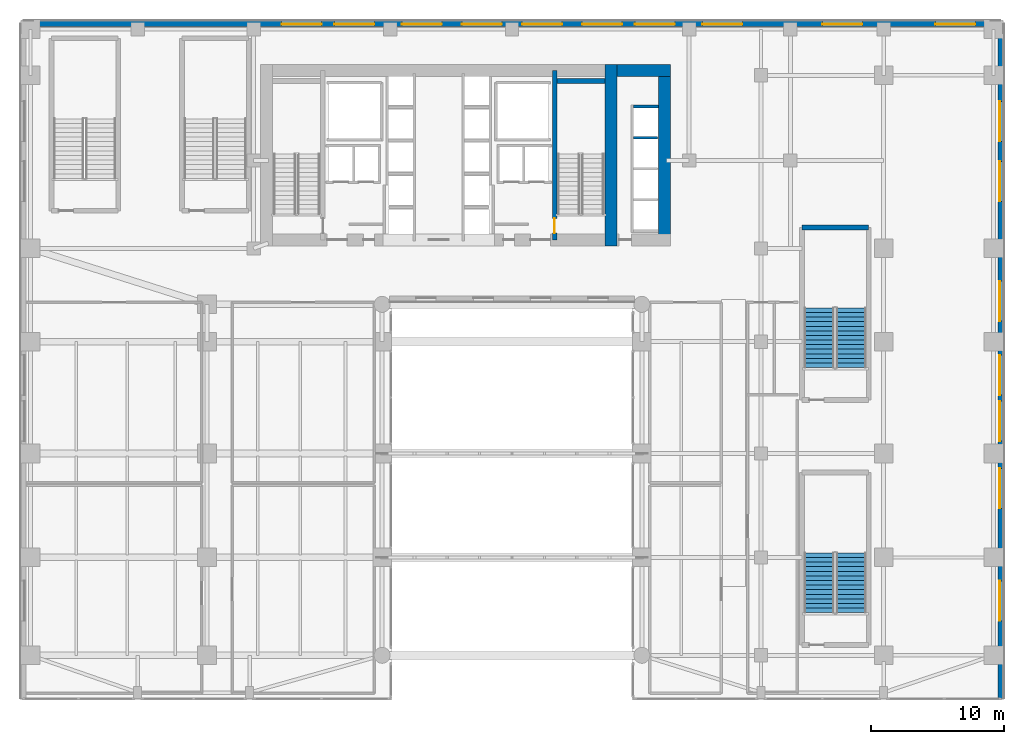
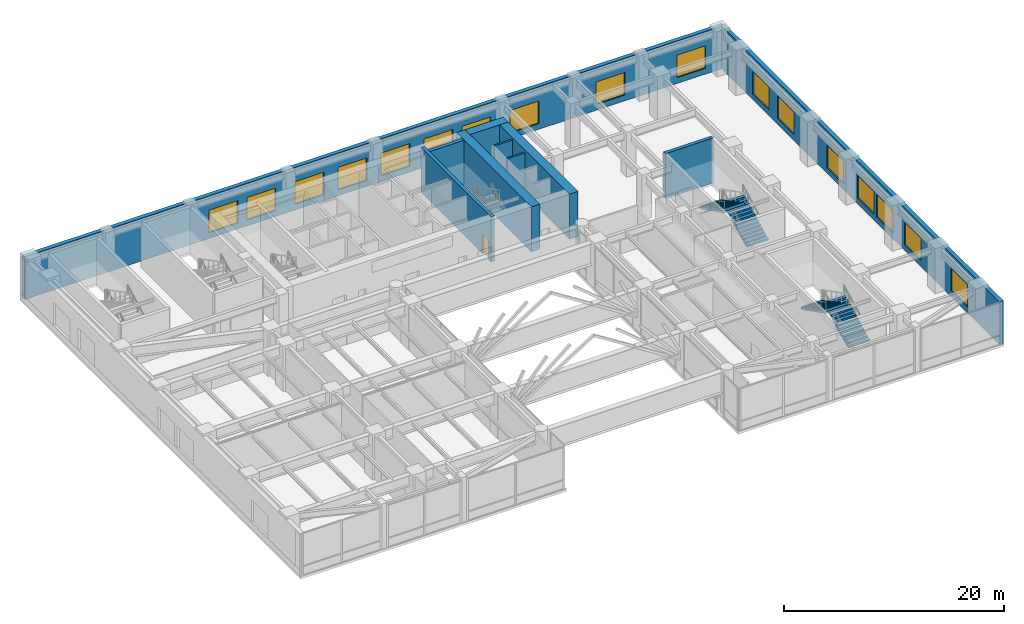
# One storey, part 30 of 39: 17 windows, 10 walls, 4 stair flights, 1 door, 18 openings, 2 elements without a shape of their own.
"""IFC4 building model written with IfcOpenShell, lengths in metres."""

from ifc_helpers import new_model, si_unit, direction, frame, frame_2d, origin, place, context, subcontext, project, spatial, polyline, rectangle, outline, extrude, source, transform, mapped, material, layer, layer_set, type_object, type_shapes, element, fill, aggregate, save


model = new_model("IFC4")

# Units and contexts
model_context = context("Model", 3, precision=1e-05, world=origin(), true_north=direction((0.0, 1.0)))
body_context = subcontext(model_context, "Body", "Model", "MODEL_VIEW")
ifc_project = project(units=[si_unit("LENGTHUNIT", "METRE"), si_unit("AREAUNIT", "SQUARE_METRE"), si_unit("VOLUMEUNIT", "CUBIC_METRE"), si_unit("PLANEANGLEUNIT", "RADIAN"), si_unit("MASSUNIT", "GRAM", prefix="KILO")], contexts=[model_context])

# Site, building, storey
site_placement = place(None, origin())
site = spatial("IfcSite", under=ifc_project, at=site_placement, CompositionType="ELEMENT")
building_placement = place(site_placement, origin())
building = spatial("IfcBuilding", under=site, at=building_placement, Name="Tolvann Quenvar Hotel", CompositionType="ELEMENT")
storey_placement = place(building_placement, frame((0.0, 0.0, 11.0)))
storey = spatial("IfcBuildingStorey", under=building, at=storey_placement, Name="L02", CompositionType="ELEMENT", Elevation=11.0)

# Walls
ifc_material_1 = material(Name="Concrete S80 (80 MPa)", Category="concrete")
ifc_layer_1 = layer(ifc_material_1, 0.89990234375)
ifc_layer_set_1 = layer_set([ifc_layer_1], Name="Concrete S80 (80 MPa)")
wall_type_1 = type_object("IfcWallType", Name="WALL_CORE_900", PredefinedType="SHEAR", material=ifc_layer_set_1)
wall_1_placement = place(storey_placement, frame((35.949951171875, 31.60009765625, 0.0), z_axis=(0.0, 0.0, 1.0), x_axis=(0.0, 1.0, 0.0)))
element("IfcWall", 1, at=wall_1_placement, inside=storey, type_object=wall_type_1, Name="Rear Core E Shear Wall (L02)", PredefinedType="SHEAR", context=body_context, shape_type="SweptSolid", body=[
    extrude(rectangle(XDim=13.599853515625, YDim=0.89990234375, at=frame_2d((6.7998046875, 0.0))), origin(), (0.0, 0.0, 1.0), 5.0),
])
wall_2_placement = place(storey_placement, frame((36.39990234375, 44.75, 0.0), z_axis=(0.0, 0.0, 1.0), x_axis=(1.0, 0.0, 0.0)))
element("IfcWall", 2, at=wall_2_placement, inside=storey, type_object=wall_type_1, Name="Core East Annex Shear Wall ANN-N (L02)", PredefinedType="SHEAR", context=body_context, shape_type="SweptSolid", body=[
    extrude(rectangle(XDim=4.0, YDim=0.89990234375, at=frame_2d((2.0, 0.0))), origin(), (0.0, 0.0, 1.0), 5.0),
])
wall_3_placement = place(storey_placement, frame((39.949951171875, 31.60009765625, 0.0), z_axis=(0.0, 0.0, 1.0), x_axis=(0.0, 1.0, 0.0)))
element("IfcWall", 3, at=wall_3_placement, inside=storey, type_object=wall_type_1, Name="Core East Annex Shear Wall ANN-E (L02)", PredefinedType="SHEAR", context=body_context, shape_type="SweptSolid", body=[
    extrude(rectangle(XDim=13.599853515625, YDim=0.89990234375, at=frame_2d((6.7998046875, 0.0))), origin(), (0.0, 0.0, 1.0), 5.0),
])

# Wall, opening, door
ifc_material_2 = material(Name="Concrete S65 (65 MPa)", Category="concrete")
ifc_layer_2 = layer(ifc_material_2, 0.35009765625)
ifc_layer_set_2 = layer_set([ifc_layer_2], Name="Concrete S65 (65 MPa)")
wall_type_2 = type_object("IfcWallType", Name="WALL_CORE_INT_350", PredefinedType="SHEAR", material=ifc_layer_set_2)
wall_4_placement = place(storey_placement, frame((31.699951171875, 32.050048828125, 0.0), z_axis=(0.0, 0.0, 1.0), x_axis=(0.0, 1.0, 0.0)))
wall_4 = element("IfcWall", 4, at=wall_4_placement, inside=storey, type_object=wall_type_2, Name="Core Internal Web Shear Wall WEB-E (L02)", PredefinedType="SHEAR", context=body_context, shape_type="SweptSolid", body=[
    extrude(rectangle(XDim=12.699951171875, YDim=0.35009765625, at=frame_2d((6.35009765625, 0.0))), origin(), (0.0, 0.0, 1.0), 5.0),
])
opening_1_placement = place(wall_4_placement, frame((1.60009765625, 0.0, 0.0), z_axis=(0.0, 0.0, 1.0), x_axis=(-1.0, 0.0, 0.0)))
opening_1 = element("IfcOpeningElement", 5, at=opening_1_placement, cuts=wall_4, Name="Opening FD-120", PredefinedType="OPENING", context=body_context, shape_type="SweptSolid", body=[
    extrude(rectangle(XDim=1.10009765625, YDim=2.1201171875, at=frame_2d((0.550048828125, 1.06005859375))), frame((0.0, 0.18505859375, 0.0), z_axis=(0.0, -1.0, 0.0), x_axis=(1.0, 0.0, 0.0)), (0.0, 0.0, 1.0), 0.3701171875),
])
ifc_material_3 = material(Name="Pressed galvanised steel fire-rated door set", Category="steel")
door_type = type_object("IfcDoorType", Name="DOOR_FIRE_STAIR_1100", OperationType="NOTDEFINED", PredefinedType="DOOR", material=ifc_material_3)
shared_shape_1 = source(origin(), body_context, "Body", "SweptSolid", [
    extrude(rectangle(XDim=1.10009765625, YDim=2.1201171875, at=frame_2d((0.550048828125, 1.06005859375))), frame((0.0, 0.02490234375, 0.0), z_axis=(0.0, -1.0, 0.0), x_axis=(1.0, 0.0, 0.0)), (0.0, 0.0, 1.0), 0.050048828125),
])
type_shapes(door_type, [shared_shape_1])
door_placement = place(opening_1_placement, origin())
door = element("IfcDoor", 6, at=door_placement, inside=storey, type_object=door_type, Name="Exit Stair ST-C2 Fire Door (L02)", OperationType="SINGLE_SWING_LEFT", OverallHeight=2.1201171875, OverallWidth=1.10009765625, PredefinedType="DOOR", context=body_context, shape_type="MappedRepresentation", body=[
    mapped(shared_shape_1, transform((0.0, 0.0, 0.0), x_axis=(1.0, 0.0, 0.0), y_axis=(0.0, 1.0, 0.0), z_axis=(0.0, 0.0, 1.0), scale=1.0)),
])
fill(opening_1, door)

# Walls
wall_5_placement = place(storey_placement, frame((31.8798828125, 43.97509765625, 0.0), z_axis=(0.0, 0.0, 1.0), x_axis=(1.0, 0.0, 0.0)))
element("IfcWall", 7, at=wall_5_placement, inside=storey, type_object=wall_type_2, Name="Core Stair North Closing Shear Wall STC2-N (L02)", PredefinedType="SHEAR", context=body_context, shape_type="SweptSolid", body=[
    extrude(rectangle(XDim=3.60009765625, YDim=0.35009765625, at=frame_2d((1.800048828125, 0.0))), origin(), (0.0, 0.0, 1.0), 5.0),
])
wall_6_placement = place(storey_placement, frame((55.27490234375, 32.97509765625, 0.0), z_axis=(0.0, 0.0, 1.0), x_axis=(-1.0, 0.0, 0.0)))
element("IfcWall", 8, at=wall_6_placement, inside=storey, type_object=wall_type_2, Name="Stairwell ST-P4 Structural Shaft Wall N (L02)", PredefinedType="SHEAR", context=body_context, shape_type="SweptSolid", body=[
    extrude(rectangle(XDim=5.0, YDim=0.35009765625, at=frame_2d((2.5, 0.0))), origin(), (0.0, 0.0, 1.0), 5.0),
])

# Wall, openings, windows
ifc_material_4 = material(Name="Kiln-fired red and buff architectural clay brickwork and terracotta masonry", Category="masonry")
ifc_layer_3 = layer(ifc_material_4, 0.419921875)
ifc_layer_set_3 = layer_set([ifc_layer_3], Name="Kiln-fired red and buff architectural clay brickwork and terracotta masonry")
wall_type_3 = type_object("IfcWallType", Name="WALL_EXT_POD_420", PredefinedType="SOLIDWALL", material=ifc_layer_set_3)
wall_7_placement = place(storey_placement, frame((65.18994140625, -2.409912109375, 0.0), z_axis=(0.0, 0.0, 1.0), x_axis=(0.0, 1.0, 0.0)))
wall_7 = element("IfcWall", 9, at=wall_7_placement, inside=storey, type_object=wall_type_3, Name="Exterior Chicago Brick Wall L02-E05", PredefinedType="SOLIDWALL", context=body_context, shape_type="SweptSolid", body=[
    extrude(rectangle(XDim=50.699951171875, YDim=0.419921875, at=frame_2d((25.35009765625, 0.0))), origin(), (0.0, 0.0, 1.0), 4.739990234375),
])
opening_2_placement = place(wall_7_placement, frame((5.85009765625, 0.0, 0.64990234375)))
opening_2 = element("IfcOpeningElement", 10, at=opening_2_placement, cuts=wall_7, Name="Opening W-05", PredefinedType="OPENING", context=body_context, shape_type="SweptSolid", body=[
    extrude(rectangle(XDim=3.0, YDim=2.5, at=frame_2d((1.5, 1.25))), frame((0.0, 0.219970703125, 0.0), z_axis=(0.0, -1.0, 0.0), x_axis=(1.0, 0.0, 0.0)), (0.0, 0.0, 1.0), 0.43994140625),
])
opening_3_placement = place(wall_7_placement, frame((14.300048828125, 0.0, 0.64990234375)))
opening_3 = element("IfcOpeningElement", 11, at=opening_3_placement, cuts=wall_7, Name="Opening W-05", PredefinedType="OPENING", context=body_context, shape_type="SweptSolid", body=[
    extrude(rectangle(XDim=3.0, YDim=2.5, at=frame_2d((1.5, 1.25))), frame((0.0, 0.219970703125, 0.0), z_axis=(0.0, -1.0, 0.0), x_axis=(1.0, 0.0, 0.0)), (0.0, 0.0, 1.0), 0.43994140625),
])
opening_4_placement = place(wall_7_placement, frame((19.35009765625, 0.0, 0.64990234375)))
opening_4 = element("IfcOpeningElement", 12, at=opening_4_placement, cuts=wall_7, Name="Opening W-05", PredefinedType="OPENING", context=body_context, shape_type="SweptSolid", body=[
    extrude(rectangle(XDim=3.0, YDim=2.5, at=frame_2d((1.5, 1.25))), frame((0.0, 0.219970703125, 0.0), z_axis=(0.0, -1.0, 0.0), x_axis=(1.0, 0.0, 0.0)), (0.0, 0.0, 1.0), 0.43994140625),
])
opening_5_placement = place(wall_7_placement, frame((22.800048828125, 0.0, 0.64990234375)))
opening_5 = element("IfcOpeningElement", 13, at=opening_5_placement, cuts=wall_7, Name="Opening W-05", PredefinedType="OPENING", context=body_context, shape_type="SweptSolid", body=[
    extrude(rectangle(XDim=3.0, YDim=2.5, at=frame_2d((1.5, 1.25))), frame((0.0, 0.219970703125, 0.0), z_axis=(0.0, -1.0, 0.0), x_axis=(1.0, 0.0, 0.0)), (0.0, 0.0, 1.0), 0.43994140625),
])
opening_6_placement = place(wall_7_placement, frame((28.35009765625, 0.0, 0.64990234375)))
opening_6 = element("IfcOpeningElement", 14, at=opening_6_placement, cuts=wall_7, Name="Opening W-05", PredefinedType="OPENING", context=body_context, shape_type="SweptSolid", body=[
    extrude(rectangle(XDim=3.0, YDim=2.5, at=frame_2d((1.5, 1.25))), frame((0.0, 0.219970703125, 0.0), z_axis=(0.0, -1.0, 0.0), x_axis=(1.0, 0.0, 0.0)), (0.0, 0.0, 1.0), 0.43994140625),
])
opening_7_placement = place(wall_7_placement, frame((37.35009765625, 0.0, 0.64990234375)))
opening_7 = element("IfcOpeningElement", 15, at=opening_7_placement, cuts=wall_7, Name="Opening W-05", PredefinedType="OPENING", context=body_context, shape_type="SweptSolid", body=[
    extrude(rectangle(XDim=3.0, YDim=2.5, at=frame_2d((1.5, 1.25))), frame((0.0, 0.219970703125, 0.0), z_axis=(0.0, -1.0, 0.0), x_axis=(1.0, 0.0, 0.0)), (0.0, 0.0, 1.0), 0.43994140625),
])
opening_8_placement = place(wall_7_placement, frame((41.85009765625, 0.0, 0.64990234375)))
opening_8 = element("IfcOpeningElement", 16, at=opening_8_placement, cuts=wall_7, Name="Opening W-05", PredefinedType="OPENING", context=body_context, shape_type="SweptSolid", body=[
    extrude(rectangle(XDim=3.0, YDim=2.5, at=frame_2d((1.5, 1.25))), frame((0.0, 0.219970703125, 0.0), z_axis=(0.0, -1.0, 0.0), x_axis=(1.0, 0.0, 0.0)), (0.0, 0.0, 1.0), 0.43994140625),
])
ifc_material_5 = material(Name="Thermally broken bronze-anodised aluminium frame with double low-E glazing", Category="aluminium")
window_type = type_object("IfcWindowType", Name="WIN_POD_3000x2600", PartitioningType="TRIPLE_PANEL_HORIZONTAL", PredefinedType="WINDOW", material=ifc_material_5)
shared_shape_2 = source(origin(), body_context, "Body", "SweptSolid", [
    extrude(rectangle(XDim=3.0, YDim=2.5, at=frame_2d((1.5, 1.25))), frame((0.0, 0.090087890625, 0.0), z_axis=(0.0, -1.0, 0.0), x_axis=(1.0, 0.0, 0.0)), (0.0, 0.0, 1.0), 0.06005859375),
])
type_shapes(window_type, [shared_shape_2])
window_1_placement = place(opening_2_placement, origin())
window_1 = element("IfcWindow", 17, at=window_1_placement, inside=storey, type_object=window_type, Name="Chicago Window W-05 (EW-L02-E05-W01)", OverallHeight=2.5, OverallWidth=3.0, PartitioningType="TRIPLE_PANEL_HORIZONTAL", PredefinedType="WINDOW", context=body_context, shape_type="MappedRepresentation", body=[
    mapped(shared_shape_2, transform((0.0, 0.0, 0.0), x_axis=(1.0, 0.0, 0.0), y_axis=(0.0, 1.0, 0.0), z_axis=(0.0, 0.0, 1.0), scale=1.0)),
])
fill(opening_2, window_1)
window_2_placement = place(opening_3_placement, origin())
window_2 = element("IfcWindow", 18, at=window_2_placement, inside=storey, type_object=window_type, Name="Chicago Window W-05 (EW-L02-E05-W02)", OverallHeight=2.5, OverallWidth=3.0, PartitioningType="TRIPLE_PANEL_HORIZONTAL", PredefinedType="WINDOW", context=body_context, shape_type="MappedRepresentation", body=[
    mapped(shared_shape_2, transform((0.0, 0.0, 0.0), x_axis=(1.0, 0.0, 0.0), y_axis=(0.0, 1.0, 0.0), z_axis=(0.0, 0.0, 1.0), scale=1.0)),
])
fill(opening_3, window_2)
window_3_placement = place(opening_4_placement, origin())
window_3 = element("IfcWindow", 19, at=window_3_placement, inside=storey, type_object=window_type, Name="Chicago Window W-05 (EW-L02-E05-W03)", OverallHeight=2.5, OverallWidth=3.0, PartitioningType="TRIPLE_PANEL_HORIZONTAL", PredefinedType="WINDOW", context=body_context, shape_type="MappedRepresentation", body=[
    mapped(shared_shape_2, transform((0.0, 0.0, 0.0), x_axis=(1.0, 0.0, 0.0), y_axis=(0.0, 1.0, 0.0), z_axis=(0.0, 0.0, 1.0), scale=1.0)),
])
fill(opening_4, window_3)
window_4_placement = place(opening_5_placement, origin())
window_4 = element("IfcWindow", 20, at=window_4_placement, inside=storey, type_object=window_type, Name="Chicago Window W-05 (EW-L02-E05-W04)", OverallHeight=2.5, OverallWidth=3.0, PartitioningType="TRIPLE_PANEL_HORIZONTAL", PredefinedType="WINDOW", context=body_context, shape_type="MappedRepresentation", body=[
    mapped(shared_shape_2, transform((0.0, 0.0, 0.0), x_axis=(1.0, 0.0, 0.0), y_axis=(0.0, 1.0, 0.0), z_axis=(0.0, 0.0, 1.0), scale=1.0)),
])
fill(opening_5, window_4)
window_5_placement = place(opening_6_placement, origin())
window_5 = element("IfcWindow", 21, at=window_5_placement, inside=storey, type_object=window_type, Name="Chicago Window W-05 (EW-L02-E05-W05)", OverallHeight=2.5, OverallWidth=3.0, PartitioningType="TRIPLE_PANEL_HORIZONTAL", PredefinedType="WINDOW", context=body_context, shape_type="MappedRepresentation", body=[
    mapped(shared_shape_2, transform((0.0, 0.0, 0.0), x_axis=(1.0, 0.0, 0.0), y_axis=(0.0, 1.0, 0.0), z_axis=(0.0, 0.0, 1.0), scale=1.0)),
])
fill(opening_6, window_5)
window_6_placement = place(opening_7_placement, origin())
window_6 = element("IfcWindow", 22, at=window_6_placement, inside=storey, type_object=window_type, Name="Chicago Window W-05 (EW-L02-E05-W06)", OverallHeight=2.5, OverallWidth=3.0, PartitioningType="TRIPLE_PANEL_HORIZONTAL", PredefinedType="WINDOW", context=body_context, shape_type="MappedRepresentation", body=[
    mapped(shared_shape_2, transform((0.0, 0.0, 0.0), x_axis=(1.0, 0.0, 0.0), y_axis=(0.0, 1.0, 0.0), z_axis=(0.0, 0.0, 1.0), scale=1.0)),
])
fill(opening_7, window_6)
window_7_placement = place(opening_8_placement, origin())
window_7 = element("IfcWindow", 23, at=window_7_placement, inside=storey, type_object=window_type, Name="Chicago Window W-05 (EW-L02-E05-W07)", OverallHeight=2.5, OverallWidth=3.0, PartitioningType="TRIPLE_PANEL_HORIZONTAL", PredefinedType="WINDOW", context=body_context, shape_type="MappedRepresentation", body=[
    mapped(shared_shape_2, transform((0.0, 0.0, 0.0), x_axis=(1.0, 0.0, 0.0), y_axis=(0.0, 1.0, 0.0), z_axis=(0.0, 0.0, 1.0), scale=1.0)),
])
fill(opening_8, window_7)

wall_8_placement = place(storey_placement, frame((65.18994140625, 48.2900390625, 0.0), z_axis=(0.0, 0.0, 1.0), x_axis=(-1.0, 0.0, 0.0)))
wall_8 = element("IfcWall", 24, at=wall_8_placement, inside=storey, type_object=wall_type_3, Name="Exterior Chicago Brick Wall L02-E06", PredefinedType="SOLIDWALL", context=body_context, shape_type="SweptSolid", body=[
    extrude(rectangle(XDim=73.3798828125, YDim=0.419921875, at=frame_2d((36.68994140625, 0.0))), origin(), (0.0, 0.0, 1.0), 4.739990234375),
])
opening_9_placement = place(wall_8_placement, frame((1.906005859375, 0.0, 0.64990234375)))
opening_9 = element("IfcOpeningElement", 25, at=opening_9_placement, cuts=wall_8, Name="Opening W-05", PredefinedType="OPENING", context=body_context, shape_type="SweptSolid", body=[
    extrude(rectangle(XDim=3.0, YDim=2.5, at=frame_2d((1.5, 1.25))), frame((0.0, 0.219970703125, 0.0), z_axis=(0.0, -1.0, 0.0), x_axis=(1.0, 0.0, 0.0)), (0.0, 0.0, 1.0), 0.43994140625),
])
opening_10_placement = place(wall_8_placement, frame((10.3779296875, 0.0, 0.64990234375)))
opening_10 = element("IfcOpeningElement", 26, at=opening_10_placement, cuts=wall_8, Name="Opening W-05", PredefinedType="OPENING", context=body_context, shape_type="SweptSolid", body=[
    extrude(rectangle(XDim=3.0, YDim=2.5, at=frame_2d((1.5, 1.25))), frame((0.0, 0.219970703125, 0.0), z_axis=(0.0, -1.0, 0.0), x_axis=(1.0, 0.0, 0.0)), (0.0, 0.0, 1.0), 0.43994140625),
])
opening_11_placement = place(wall_8_placement, frame((19.40087890625, 0.0, 0.64990234375)))
opening_11 = element("IfcOpeningElement", 27, at=opening_11_placement, cuts=wall_8, Name="Opening W-05", PredefinedType="OPENING", context=body_context, shape_type="SweptSolid", body=[
    extrude(rectangle(XDim=3.0, YDim=2.5, at=frame_2d((1.5, 1.25))), frame((0.0, 0.219970703125, 0.0), z_axis=(0.0, -1.0, 0.0), x_axis=(1.0, 0.0, 0.0)), (0.0, 0.0, 1.0), 0.43994140625),
])
opening_12_placement = place(wall_8_placement, frame((24.4619140625, 0.0, 0.64990234375)))
opening_12 = element("IfcOpeningElement", 28, at=opening_12_placement, cuts=wall_8, Name="Opening W-05", PredefinedType="OPENING", context=body_context, shape_type="SweptSolid", body=[
    extrude(rectangle(XDim=3.0, YDim=2.5, at=frame_2d((1.5, 1.25))), frame((0.0, 0.219970703125, 0.0), z_axis=(0.0, -1.0, 0.0), x_axis=(1.0, 0.0, 0.0)), (0.0, 0.0, 1.0), 0.43994140625),
])
opening_13_placement = place(wall_8_placement, frame((28.423095703125, 0.0, 0.64990234375)))
opening_13 = element("IfcOpeningElement", 29, at=opening_13_placement, cuts=wall_8, Name="Opening W-05", PredefinedType="OPENING", context=body_context, shape_type="SweptSolid", body=[
    extrude(rectangle(XDim=3.0, YDim=2.5, at=frame_2d((1.5, 1.25))), frame((0.0, 0.219970703125, 0.0), z_axis=(0.0, -1.0, 0.0), x_axis=(1.0, 0.0, 0.0)), (0.0, 0.0, 1.0), 0.43994140625),
])
opening_14_placement = place(wall_8_placement, frame((32.93408203125, 0.0, 0.64990234375)))
opening_14 = element("IfcOpeningElement", 30, at=opening_14_placement, cuts=wall_8, Name="Opening W-05", PredefinedType="OPENING", context=body_context, shape_type="SweptSolid", body=[
    extrude(rectangle(XDim=3.0, YDim=2.5, at=frame_2d((1.5, 1.25))), frame((0.0, 0.219970703125, 0.0), z_axis=(0.0, -1.0, 0.0), x_axis=(1.0, 0.0, 0.0)), (0.0, 0.0, 1.0), 0.43994140625),
])
opening_15_placement = place(wall_8_placement, frame((37.446044921875, 0.0, 0.64990234375)))
opening_15 = element("IfcOpeningElement", 31, at=opening_15_placement, cuts=wall_8, Name="Opening W-05", PredefinedType="OPENING", context=body_context, shape_type="SweptSolid", body=[
    extrude(rectangle(XDim=3.0, YDim=2.5, at=frame_2d((1.5, 1.25))), frame((0.0, 0.219970703125, 0.0), z_axis=(0.0, -1.0, 0.0), x_axis=(1.0, 0.0, 0.0)), (0.0, 0.0, 1.0), 0.43994140625),
])
opening_16_placement = place(wall_8_placement, frame((41.95703125, 0.0, 0.64990234375)))
opening_16 = element("IfcOpeningElement", 32, at=opening_16_placement, cuts=wall_8, Name="Opening W-05", PredefinedType="OPENING", context=body_context, shape_type="SweptSolid", body=[
    extrude(rectangle(XDim=3.0, YDim=2.5, at=frame_2d((1.5, 1.25))), frame((0.0, 0.219970703125, 0.0), z_axis=(0.0, -1.0, 0.0), x_axis=(1.0, 0.0, 0.0)), (0.0, 0.0, 1.0), 0.43994140625),
])
opening_17_placement = place(wall_8_placement, frame((47.01806640625, 0.0, 0.64990234375)))
opening_17 = element("IfcOpeningElement", 33, at=opening_17_placement, cuts=wall_8, Name="Opening W-05", PredefinedType="OPENING", context=body_context, shape_type="SweptSolid", body=[
    extrude(rectangle(XDim=3.0, YDim=2.5, at=frame_2d((1.5, 1.25))), frame((0.0, 0.219970703125, 0.0), z_axis=(0.0, -1.0, 0.0), x_axis=(1.0, 0.0, 0.0)), (0.0, 0.0, 1.0), 0.43994140625),
])
opening_18_placement = place(wall_8_placement, frame((50.97900390625, 0.0, 0.64990234375)))
opening_18 = element("IfcOpeningElement", 34, at=opening_18_placement, cuts=wall_8, Name="Opening W-05", PredefinedType="OPENING", context=body_context, shape_type="SweptSolid", body=[
    extrude(rectangle(XDim=3.0, YDim=2.5, at=frame_2d((1.5, 1.25))), frame((0.0, 0.219970703125, 0.0), z_axis=(0.0, -1.0, 0.0), x_axis=(1.0, 0.0, 0.0)), (0.0, 0.0, 1.0), 0.43994140625),
])
window_8_placement = place(opening_9_placement, origin())
window_8 = element("IfcWindow", 35, at=window_8_placement, inside=storey, type_object=window_type, Name="Chicago Window W-05 (EW-L02-E06-W01)", OverallHeight=2.5, OverallWidth=3.0, PartitioningType="TRIPLE_PANEL_HORIZONTAL", PredefinedType="WINDOW", context=body_context, shape_type="MappedRepresentation", body=[
    mapped(shared_shape_2, transform((0.0, 0.0, 0.0), x_axis=(1.0, 0.0, 0.0), y_axis=(0.0, 1.0, 0.0), z_axis=(0.0, 0.0, 1.0), scale=1.0)),
])
fill(opening_9, window_8)
window_9_placement = place(opening_10_placement, origin())
window_9 = element("IfcWindow", 36, at=window_9_placement, inside=storey, type_object=window_type, Name="Chicago Window W-05 (EW-L02-E06-W02)", OverallHeight=2.5, OverallWidth=3.0, PartitioningType="TRIPLE_PANEL_HORIZONTAL", PredefinedType="WINDOW", context=body_context, shape_type="MappedRepresentation", body=[
    mapped(shared_shape_2, transform((0.0, 0.0, 0.0), x_axis=(1.0, 0.0, 0.0), y_axis=(0.0, 1.0, 0.0), z_axis=(0.0, 0.0, 1.0), scale=1.0)),
])
fill(opening_10, window_9)
window_10_placement = place(opening_11_placement, origin())
window_10 = element("IfcWindow", 37, at=window_10_placement, inside=storey, type_object=window_type, Name="Chicago Window W-05 (EW-L02-E06-W03)", OverallHeight=2.5, OverallWidth=3.0, PartitioningType="TRIPLE_PANEL_HORIZONTAL", PredefinedType="WINDOW", context=body_context, shape_type="MappedRepresentation", body=[
    mapped(shared_shape_2, transform((0.0, 0.0, 0.0), x_axis=(1.0, 0.0, 0.0), y_axis=(0.0, 1.0, 0.0), z_axis=(0.0, 0.0, 1.0), scale=1.0)),
])
fill(opening_11, window_10)
window_11_placement = place(opening_12_placement, origin())
window_11 = element("IfcWindow", 38, at=window_11_placement, inside=storey, type_object=window_type, Name="Chicago Window W-05 (EW-L02-E06-W04)", OverallHeight=2.5, OverallWidth=3.0, PartitioningType="TRIPLE_PANEL_HORIZONTAL", PredefinedType="WINDOW", context=body_context, shape_type="MappedRepresentation", body=[
    mapped(shared_shape_2, transform((0.0, 0.0, 0.0), x_axis=(1.0, 0.0, 0.0), y_axis=(0.0, 1.0, 0.0), z_axis=(0.0, 0.0, 1.0), scale=1.0)),
])
fill(opening_12, window_11)
window_12_placement = place(opening_13_placement, origin())
window_12 = element("IfcWindow", 39, at=window_12_placement, inside=storey, type_object=window_type, Name="Chicago Window W-05 (EW-L02-E06-W05)", OverallHeight=2.5, OverallWidth=3.0, PartitioningType="TRIPLE_PANEL_HORIZONTAL", PredefinedType="WINDOW", context=body_context, shape_type="MappedRepresentation", body=[
    mapped(shared_shape_2, transform((0.0, 0.0, 0.0), x_axis=(1.0, 0.0, 0.0), y_axis=(0.0, 1.0, 0.0), z_axis=(0.0, 0.0, 1.0), scale=1.0)),
])
fill(opening_13, window_12)
window_13_placement = place(opening_14_placement, origin())
window_13 = element("IfcWindow", 40, at=window_13_placement, inside=storey, type_object=window_type, Name="Chicago Window W-05 (EW-L02-E06-W06)", OverallHeight=2.5, OverallWidth=3.0, PartitioningType="TRIPLE_PANEL_HORIZONTAL", PredefinedType="WINDOW", context=body_context, shape_type="MappedRepresentation", body=[
    mapped(shared_shape_2, transform((0.0, 0.0, 0.0), x_axis=(1.0, 0.0, 0.0), y_axis=(0.0, 1.0, 0.0), z_axis=(0.0, 0.0, 1.0), scale=1.0)),
])
fill(opening_14, window_13)
window_14_placement = place(opening_15_placement, origin())
window_14 = element("IfcWindow", 41, at=window_14_placement, inside=storey, type_object=window_type, Name="Chicago Window W-05 (EW-L02-E06-W07)", OverallHeight=2.5, OverallWidth=3.0, PartitioningType="TRIPLE_PANEL_HORIZONTAL", PredefinedType="WINDOW", context=body_context, shape_type="MappedRepresentation", body=[
    mapped(shared_shape_2, transform((0.0, 0.0, 0.0), x_axis=(1.0, 0.0, 0.0), y_axis=(0.0, 1.0, 0.0), z_axis=(0.0, 0.0, 1.0), scale=1.0)),
])
fill(opening_15, window_14)
window_15_placement = place(opening_16_placement, origin())
window_15 = element("IfcWindow", 42, at=window_15_placement, inside=storey, type_object=window_type, Name="Chicago Window W-05 (EW-L02-E06-W08)", OverallHeight=2.5, OverallWidth=3.0, PartitioningType="TRIPLE_PANEL_HORIZONTAL", PredefinedType="WINDOW", context=body_context, shape_type="MappedRepresentation", body=[
    mapped(shared_shape_2, transform((0.0, 0.0, 0.0), x_axis=(1.0, 0.0, 0.0), y_axis=(0.0, 1.0, 0.0), z_axis=(0.0, 0.0, 1.0), scale=1.0)),
])
fill(opening_16, window_15)
window_16_placement = place(opening_17_placement, origin())
window_16 = element("IfcWindow", 43, at=window_16_placement, inside=storey, type_object=window_type, Name="Chicago Window W-05 (EW-L02-E06-W09)", OverallHeight=2.5, OverallWidth=3.0, PartitioningType="TRIPLE_PANEL_HORIZONTAL", PredefinedType="WINDOW", context=body_context, shape_type="MappedRepresentation", body=[
    mapped(shared_shape_2, transform((0.0, 0.0, 0.0), x_axis=(1.0, 0.0, 0.0), y_axis=(0.0, 1.0, 0.0), z_axis=(0.0, 0.0, 1.0), scale=1.0)),
])
fill(opening_17, window_16)
window_17_placement = place(opening_18_placement, origin())
window_17 = element("IfcWindow", 44, at=window_17_placement, inside=storey, type_object=window_type, Name="Chicago Window W-05 (EW-L02-E06-W10)", OverallHeight=2.5, OverallWidth=3.0, PartitioningType="TRIPLE_PANEL_HORIZONTAL", PredefinedType="WINDOW", context=body_context, shape_type="MappedRepresentation", body=[
    mapped(shared_shape_2, transform((0.0, 0.0, 0.0), x_axis=(1.0, 0.0, 0.0), y_axis=(0.0, 1.0, 0.0), z_axis=(0.0, 0.0, 1.0), scale=1.0)),
])
fill(opening_18, window_17)

# Walls
ifc_material_6 = material(Name="Concrete N40 (40 MPa)", Category="concrete")
ifc_layer_4 = layer(ifc_material_6, 0.199951171875)
ifc_layer_set_4 = layer_set([ifc_layer_4], Name="Concrete N40 (40 MPa)")
wall_type_4 = type_object("IfcWallType", Name="WALL_SHAFT_200", PredefinedType="SOLIDWALL", material=ifc_layer_set_4)
wall_9_placement = place(storey_placement, frame((37.6298828125, 42.050048828125, 0.0), z_axis=(0.0, 0.0, 1.0), x_axis=(1.0, 0.0, 0.0)))
element("IfcWall", 45, at=wall_9_placement, inside=storey, type_object=wall_type_4, Name="Lift Bank W37.6C1 Hoistway Cheek Wall 2 (L02)", PredefinedType="SOLIDWALL", context=body_context, shape_type="SweptSolid", body=[
    extrude(rectangle(XDim=1.8701171875, YDim=0.199951171875, at=frame_2d((0.93505859375, 0.0))), origin(), (0.0, 0.0, 1.0), 4.739990234375),
])
wall_10_placement = place(storey_placement, frame((37.6298828125, 39.699951171875, 0.0), z_axis=(0.0, 0.0, 1.0), x_axis=(1.0, 0.0, 0.0)))
element("IfcWall", 46, at=wall_10_placement, inside=storey, type_object=wall_type_4, Name="Lift Bank W37.6C1 Divider Wall 3 (L02)", PredefinedType="SOLIDWALL", context=body_context, shape_type="SweptSolid", body=[
    extrude(rectangle(XDim=1.800048828125, YDim=0.199951171875, at=frame_2d((0.89990234375, 0.0))), origin(), (0.0, 0.0, 1.0), 4.739990234375),
])

# Stair, stair flights
stair_type = type_object("IfcStairType", Name="STAIR", PredefinedType="HALF_TURN_STAIR", material=ifc_material_6)
stair_1_placement = place(storey_placement, origin())
stair_1 = element("IfcStair", 47, at=stair_1_placement, inside=storey, type_object=stair_type, Name="L02 ST-P3", PredefinedType="HALF_TURN_STAIR")
stair_flight_type = type_object("IfcStairFlightType", Name="STAIR_FLIGHT", PredefinedType="STRAIGHT", material=ifc_material_6)
stair_flight_1_placement = place(storey_placement, frame((53.97509765625, 4.050048828125, 0.0), z_axis=(0.0, 0.0, 1.0), x_axis=(0.0, 1.0, 0.0)))
stair_flight_1 = element("IfcStairFlight", 48, at=stair_flight_1_placement, type_object=stair_flight_type, Name="ST-P3 flight 1", NumberOfRisers=14, NumberOfTreads=13, PredefinedType="STRAIGHT", RiserHeight=0.178571429, TreadLength=0.345, context=body_context, shape_type="SweptSolid", body=[
    extrude(outline(polyline([(0.0, 0.0), (0.0, 0.178466796875), (0.344970703125, 0.178466796875), (0.344970703125, 0.357177734375), (0.68994140625, 0.357177734375), (0.68994140625, 0.53564453125), (1.034912109375, 0.53564453125), (1.034912109375, 0.71435546875), (1.3798828125, 0.71435546875), (1.3798828125, 0.892822265625), (1.72509765625, 0.892822265625), (1.72509765625, 1.071533203125), (2.070068359375, 1.071533203125), (2.070068359375, 1.25), (2.4150390625, 1.25), (2.4150390625, 1.428466796875), (2.760009765625, 1.428466796875), (2.760009765625, 1.607177734375), (3.10498046875, 1.607177734375), (3.10498046875, 1.78564453125), (3.449951171875, 1.78564453125), (3.449951171875, 1.96435546875), (3.794921875, 1.96435546875), (3.794921875, 2.142822265625), (4.139892578125, 2.142822265625), (4.139892578125, 2.321533203125), (4.485107421875, 2.321533203125), (4.485107421875, 2.5), (4.485107421875, 2.152587890625), (0.326171875, 0.0), (0.0, 0.0)])), frame((0.0, 1.125, 0.0), z_axis=(0.0, -1.0, 0.0), x_axis=(1.0, 0.0, 0.0)), (0.0, 0.0, 1.0), 2.25),
])
stair_flight_2_placement = place(storey_placement, frame((51.574951171875, 8.534912109375, 2.5), z_axis=(0.0, 0.0, 1.0), x_axis=(0.0, -1.0, 0.0)))
stair_flight_2 = element("IfcStairFlight", 49, at=stair_flight_2_placement, type_object=stair_flight_type, Name="ST-P3 flight 2", NumberOfRisers=14, NumberOfTreads=13, PredefinedType="STRAIGHT", RiserHeight=0.178571429, TreadLength=0.345, context=body_context, shape_type="SweptSolid", body=[
    extrude(outline(polyline([(0.0, 0.0), (0.0, 0.178466796875), (0.344970703125, 0.178466796875), (0.344970703125, 0.357177734375), (0.68994140625, 0.357177734375), (0.68994140625, 0.53564453125), (1.034912109375, 0.53564453125), (1.034912109375, 0.71435546875), (1.3798828125, 0.71435546875), (1.3798828125, 0.892822265625), (1.72509765625, 0.892822265625), (1.72509765625, 1.071533203125), (2.070068359375, 1.071533203125), (2.070068359375, 1.25), (2.4150390625, 1.25), (2.4150390625, 1.428466796875), (2.760009765625, 1.428466796875), (2.760009765625, 1.607177734375), (3.10498046875, 1.607177734375), (3.10498046875, 1.78564453125), (3.449951171875, 1.78564453125), (3.449951171875, 1.96435546875), (3.794921875, 1.96435546875), (3.794921875, 2.142822265625), (4.139892578125, 2.142822265625), (4.139892578125, 2.321533203125), (4.485107421875, 2.321533203125), (4.485107421875, 2.5), (4.485107421875, 2.152587890625), (0.326171875, 0.0), (0.0, 0.0)])), frame((0.0, 1.125, 0.0), z_axis=(0.0, -1.0, 0.0), x_axis=(1.0, 0.0, 0.0)), (0.0, 0.0, 1.0), 2.25),
])
aggregate(stair_1, [stair_flight_1, stair_flight_2])

stair_2_placement = place(storey_placement, origin())
stair_2 = element("IfcStair", 50, at=stair_2_placement, inside=storey, type_object=stair_type, Name="L02 ST-P4", PredefinedType="HALF_TURN_STAIR")
stair_flight_3_placement = place(storey_placement, frame((53.97509765625, 22.449951171875, 0.0), z_axis=(0.0, 0.0, 1.0), x_axis=(0.0, 1.0, 0.0)))
stair_flight_3 = element("IfcStairFlight", 51, at=stair_flight_3_placement, type_object=stair_flight_type, Name="ST-P4 flight 1", NumberOfRisers=14, NumberOfTreads=13, PredefinedType="STRAIGHT", RiserHeight=0.178571429, TreadLength=0.345, context=body_context, shape_type="SweptSolid", body=[
    extrude(outline(polyline([(0.0, 0.0), (0.0, 0.178466796875), (0.344970703125, 0.178466796875), (0.344970703125, 0.357177734375), (0.68994140625, 0.357177734375), (0.68994140625, 0.53564453125), (1.034912109375, 0.53564453125), (1.034912109375, 0.71435546875), (1.3798828125, 0.71435546875), (1.3798828125, 0.892822265625), (1.72509765625, 0.892822265625), (1.72509765625, 1.071533203125), (2.070068359375, 1.071533203125), (2.070068359375, 1.25), (2.4150390625, 1.25), (2.4150390625, 1.428466796875), (2.760009765625, 1.428466796875), (2.760009765625, 1.607177734375), (3.10498046875, 1.607177734375), (3.10498046875, 1.78564453125), (3.449951171875, 1.78564453125), (3.449951171875, 1.96435546875), (3.794921875, 1.96435546875), (3.794921875, 2.142822265625), (4.139892578125, 2.142822265625), (4.139892578125, 2.321533203125), (4.485107421875, 2.321533203125), (4.485107421875, 2.5), (4.485107421875, 2.152587890625), (0.326171875, 0.0), (0.0, 0.0)])), frame((0.0, 1.125, 0.0), z_axis=(0.0, -1.0, 0.0), x_axis=(1.0, 0.0, 0.0)), (0.0, 0.0, 1.0), 2.25),
])
stair_flight_4_placement = place(storey_placement, frame((51.574951171875, 26.93505859375, 2.5), z_axis=(0.0, 0.0, 1.0), x_axis=(0.0, -1.0, 0.0)))
stair_flight_4 = element("IfcStairFlight", 52, at=stair_flight_4_placement, type_object=stair_flight_type, Name="ST-P4 flight 2", NumberOfRisers=14, NumberOfTreads=13, PredefinedType="STRAIGHT", RiserHeight=0.178571429, TreadLength=0.345, context=body_context, shape_type="SweptSolid", body=[
    extrude(outline(polyline([(0.0, 0.0), (0.0, 0.178466796875), (0.344970703125, 0.178466796875), (0.344970703125, 0.357177734375), (0.68994140625, 0.357177734375), (0.68994140625, 0.53564453125), (1.034912109375, 0.53564453125), (1.034912109375, 0.71435546875), (1.3798828125, 0.71435546875), (1.3798828125, 0.892822265625), (1.72509765625, 0.892822265625), (1.72509765625, 1.071533203125), (2.070068359375, 1.071533203125), (2.070068359375, 1.25), (2.4150390625, 1.25), (2.4150390625, 1.428466796875), (2.760009765625, 1.428466796875), (2.760009765625, 1.607177734375), (3.10498046875, 1.607177734375), (3.10498046875, 1.78564453125), (3.449951171875, 1.78564453125), (3.449951171875, 1.96435546875), (3.794921875, 1.96435546875), (3.794921875, 2.142822265625), (4.139892578125, 2.142822265625), (4.139892578125, 2.321533203125), (4.485107421875, 2.321533203125), (4.485107421875, 2.5), (4.485107421875, 2.152587890625), (0.326171875, 0.0), (0.0, 0.0)])), frame((0.0, 1.125, 0.0), z_axis=(0.0, -1.0, 0.0), x_axis=(1.0, 0.0, 0.0)), (0.0, 0.0, 1.0), 2.25),
])
aggregate(stair_2, [stair_flight_3, stair_flight_4])

save(model, "model.ifc")
